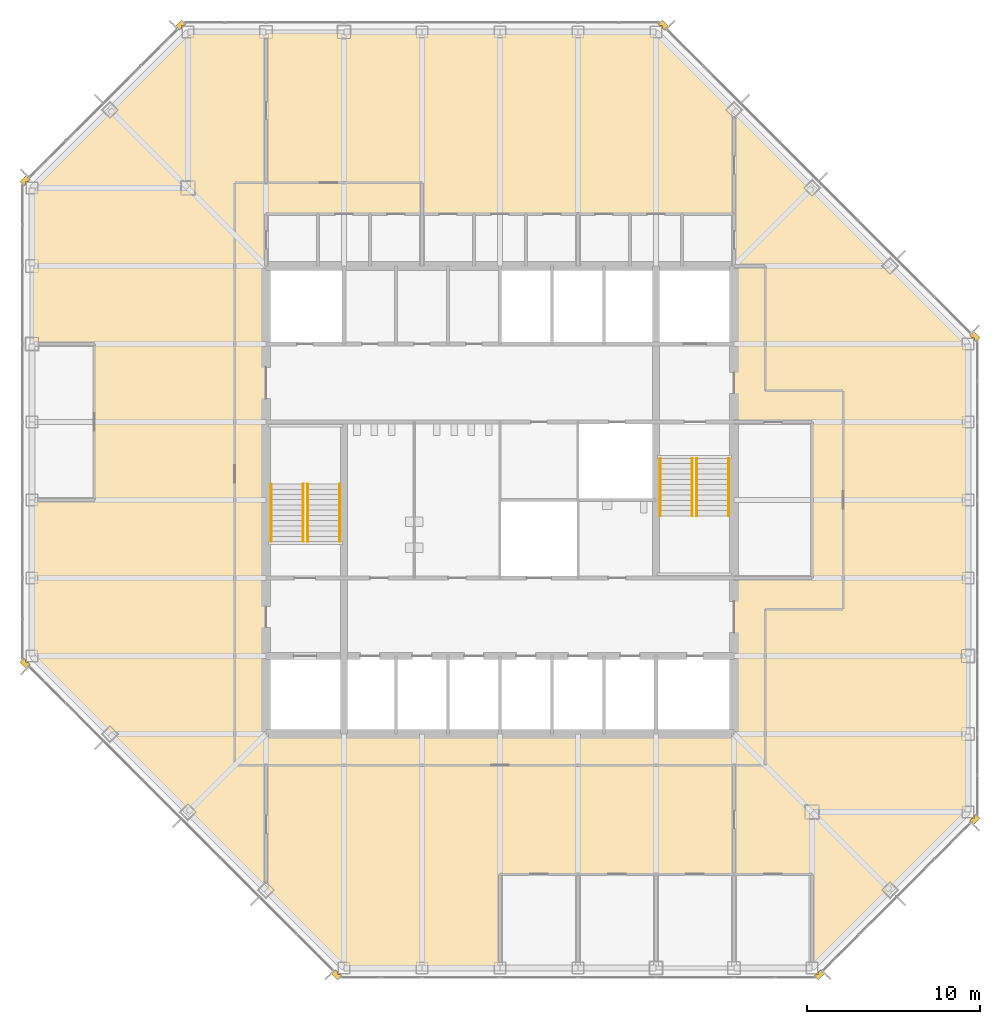
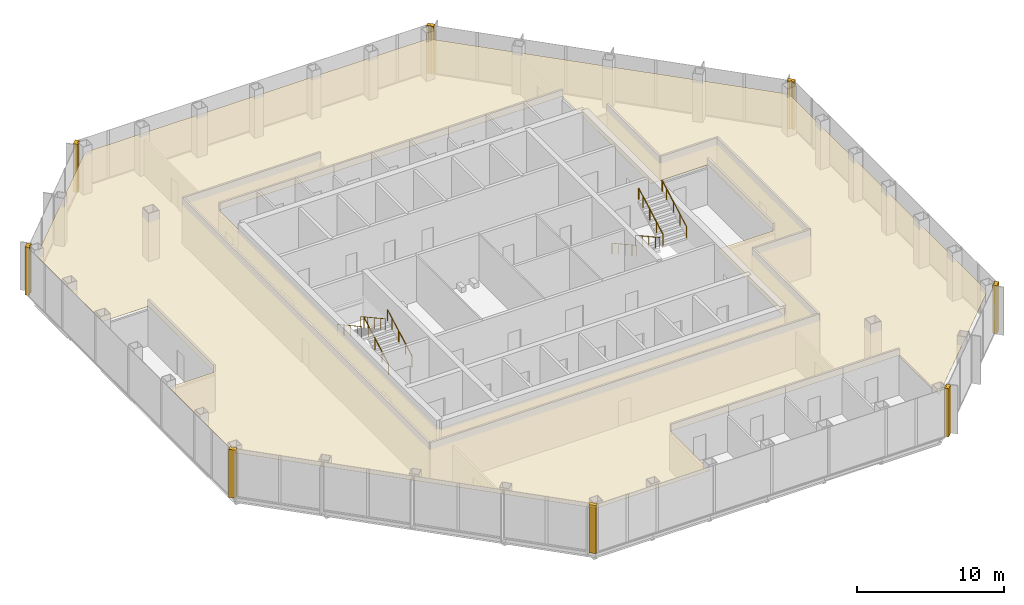
# One storey, part 11 of 12: 9 coverings, 8 railings.
"""IFC4 building model written with IfcOpenShell, lengths in metres."""

import ifcopenshell
import ifcopenshell.guid

model = None  # the IFC model being written
_history = None  # IfcOwnerHistory: only IFC2X3 demands one
_inside = {}  # id of a spatial element -> (the spatial element, [elements in it])
_under = {}  # id of a project, library or spatial element -> (it, [spatial elements below it])
_declared = {}  # id of a project -> (the project, [libraries it declares])
_typed = {}  # id of a type object -> (the type object, [elements of that type])
_made_of = {}  # id of a material, layer set ... -> (it, [elements and type objects made of it])


def new_model(schema):
    """Start an empty IFC model of exactly this schema.

    Asked for "IFC4X3", IfcOpenShell would pick the latest addendum, in which some entities
    have other attributes; the version numbers below select the first issue.
    IFC2X3 requires an IfcOwnerHistory on every rooted entity: one is made here for all.
    """
    global model, _history
    if schema == "IFC4X3":
        model = ifcopenshell.file(schema_version=(4, 3, 0, 0))
    else:
        model = ifcopenshell.file(schema=schema)
    _inside.clear()
    _under.clear()
    _declared.clear()
    _typed.clear()
    _made_of.clear()
    _history = None
    if model.schema == "IFC2X3":
        org = make("IfcOrganization", Name="unknown")
        user = make(
            "IfcPersonAndOrganization",
            ThePerson=make("IfcPerson", FamilyName="unknown"),
            TheOrganization=org,
        )
        app = make(
            "IfcApplication",
            ApplicationDeveloper=org,
            Version="unknown",
            ApplicationFullName="unknown",
            ApplicationIdentifier="unknown",
        )
        _history = make(
            "IfcOwnerHistory",
            OwningUser=user,
            OwningApplication=app,
            ChangeAction="ADDED",
            CreationDate=0,
        )
    return model


def make(cls, **values):
    """One entity of the class cls with the attributes given. An attribute that is None is left unset."""
    return model.create_entity(
        cls, **{name: value for name, value in values.items() if value is not None}
    )


def rooted(cls, **values):
    """An entity with a GlobalId (a new one), such as an element, a storey or a relation."""
    return make(cls, GlobalId=ifcopenshell.guid.new(), OwnerHistory=_history, **values)


def si_unit(unit_type, name, prefix=None):
    """IfcSIUnit, for example si_unit("LENGTHUNIT", "METRE", prefix="MILLI")."""
    return make("IfcSIUnit", UnitType=unit_type, Prefix=prefix, Name=name)


def assignment(units):
    """IfcUnitAssignment: the units of a project."""
    return None if units is None else make("IfcUnitAssignment", Units=units)


def point(xyz):
    """IfcCartesianPoint."""
    return None if xyz is None else make("IfcCartesianPoint", Coordinates=xyz)


def direction(xyz):
    """IfcDirection."""
    return None if xyz is None else make("IfcDirection", DirectionRatios=xyz)


def frame(location, z_axis=None, x_axis=None):
    """IfcAxis2Placement3D, a coordinate frame: its origin and axes. An axis left out is left unset."""
    return make(
        "IfcAxis2Placement3D",
        Location=point(location),
        Axis=direction(z_axis),
        RefDirection=direction(x_axis),
    )


def frame_2d(location, x_axis=None):
    """IfcAxis2Placement2D, a coordinate frame in the plane: its origin and x axis."""
    return make(
        "IfcAxis2Placement2D", Location=point(location), RefDirection=direction(x_axis)
    )


def origin():
    """The frame at (0, 0, 0) with its axes left unset."""
    return frame((0.0, 0.0, 0.0))


def origin_2d():
    """The frame at (0, 0) in the plane with its x axis left unset."""
    return frame_2d((0.0, 0.0))


def place(relative_to, where):
    """IfcLocalPlacement: puts the frame where relative to a parent placement (None: the world)."""
    return make(
        "IfcLocalPlacement", PlacementRelTo=relative_to, RelativePlacement=where
    )


def context(
    kind, dimensions, precision=None, world=None, true_north=None, identifier=None
):
    """IfcGeometricRepresentationContext, for example the 3D "Model" context."""
    return make(
        "IfcGeometricRepresentationContext",
        ContextIdentifier=identifier,
        ContextType=kind,
        CoordinateSpaceDimension=dimensions,
        Precision=precision,
        WorldCoordinateSystem=world,
        TrueNorth=true_north,
    )


def subcontext(parent, identifier, kind, view, scale=None):
    """IfcGeometricRepresentationSubContext, for example "Body" below "Model"."""
    return make(
        "IfcGeometricRepresentationSubContext",
        ContextIdentifier=identifier,
        ContextType=kind,
        ParentContext=parent,
        TargetScale=scale,
        TargetView=view,
    )


def project(units=None, contexts=None):
    """IfcProject with its units and contexts."""
    return rooted(
        "IfcProject",
        Name="project",
        RepresentationContexts=contexts,
        UnitsInContext=assignment(units),
    )


def spatial(cls, under=None, at=None, **own):
    """A site, building, storey or space (cls), placed at a placement, below another one or the project."""
    s = rooted(cls, ObjectPlacement=at, **own)
    if under is not None:
        _under.setdefault(under.id(), (under, []))[1].append(s)
    return s


def polyline(points):
    """IfcPolyline through the points."""
    return make("IfcPolyline", Points=[point(p) for p in points])


def profile(cls, at=None, kind="AREA", **sizes):
    """A parametric profile (cls). Its sizes go by their IFC names, for example OverallWidth=200.0."""
    return make(cls, ProfileType=kind, Position=at, **sizes)


def circle(**sizes):
    """IfcCircleProfileDef."""
    return profile("IfcCircleProfileDef", **sizes)


def outline(outer, holes=None, kind="AREA"):
    """IfcArbitraryClosedProfileDef: a profile drawn as a closed curve; with holes, ...WithVoids."""
    if holes is None:
        return make("IfcArbitraryClosedProfileDef", ProfileType=kind, OuterCurve=outer)
    return make(
        "IfcArbitraryProfileDefWithVoids",
        ProfileType=kind,
        OuterCurve=outer,
        InnerCurves=holes,
    )


def extrude(swept, where, along, depth):
    """IfcExtrudedAreaSolid: the profile swept, set in the frame where, extruded along a direction by depth."""
    return make(
        "IfcExtrudedAreaSolid",
        SweptArea=swept,
        Position=where,
        ExtrudedDirection=direction(along),
        Depth=depth,
    )


def shape(context_of_items, identifier, shape_type, items):
    """IfcShapeRepresentation: the items that make up one representation, for example the "Body"."""
    return make(
        "IfcShapeRepresentation",
        ContextOfItems=context_of_items,
        RepresentationIdentifier=identifier,
        RepresentationType=shape_type,
        Items=items,
    )


def material(Name=None, Category=None):
    """IfcMaterial."""
    return make("IfcMaterial", Name=Name, Category=Category)


def layer(
    of_material, thickness, ventilated=None, Name=None, Category=None, Priority=None
):
    """IfcMaterialLayer: one layer of a wall or slab, of a material (None: an air gap)."""
    return make(
        "IfcMaterialLayer",
        Material=of_material,
        LayerThickness=thickness,
        IsVentilated=ventilated,
        Name=Name,
        Category=Category,
        Priority=Priority,
    )


def layer_set(layers, Name=None):
    """IfcMaterialLayerSet."""
    return make("IfcMaterialLayerSet", MaterialLayers=layers, LayerSetName=Name)


def made_of(thing, what):
    """Note that an element or type object is made of a material, layer set ...; save() writes the relation."""
    if what is not None:
        _made_of.setdefault(what.id(), (what, []))[1].append(thing)
    return thing


def type_object(cls, material=None, **own):
    """A type object (cls), such as IfcWallType, which elements share."""
    return made_of(rooted(cls, **own), material)


def element(
    cls,
    number,
    at=None,
    inside=None,
    cuts=None,
    type_object=None,
    material=None,
    context=None,
    identifier="Body",
    shape_type=None,
    held_by="IfcProductDefinitionShape",
    body=None,
    shapes=None,
    **own,
):
    """One element of the class cls, such as IfcWall. Its Tag is "e" and its number.

    at: its placement. inside: the storey or other place that contains it. cuts: it is an
    opening in that element (IfcRelVoidsElement). A single representation is given by context,
    identifier, shape_type and body (its items); several are given by shapes. held_by: the class
    of the entity that holds the representations. save() writes the other relations.
    """
    e = rooted(cls, Tag="e%d" % number, ObjectPlacement=at, **own)
    if body is not None:
        shapes = [shape(context, identifier, shape_type, body)]
    if shapes is not None:
        e.Representation = make(held_by, Representations=shapes)
    if inside is not None:
        _inside.setdefault(inside.id(), (inside, []))[1].append(e)
    if cuts is not None:
        rooted(
            "IfcRelVoidsElement", RelatingBuildingElement=cuts, RelatedOpeningElement=e
        )
    if type_object is not None:
        _typed.setdefault(type_object.id(), (type_object, []))[1].append(e)
    return made_of(e, material)


def aggregate(whole, parts):
    """IfcRelAggregates: a whole, such as a stair, and the parts it consists of."""
    return rooted("IfcRelAggregates", RelatingObject=whole, RelatedObjects=parts)


def save(model, path):
    """Write the relations noted so far, then the file.

    IfcRelAggregates (storeys below a building ...), IfcRelContainedInSpatialStructure (elements
    in a storey), IfcRelDefinesByType, IfcRelAssociatesMaterial and IfcRelDeclares: one each for
    every whole, place, type object, material and project.
    """
    for whole, parts in _under.values():
        aggregate(whole, parts)
    for where, things in _inside.values():
        rooted(
            "IfcRelContainedInSpatialStructure",
            RelatedElements=things,
            RelatingStructure=where,
        )
    for kind, things in _typed.values():
        rooted("IfcRelDefinesByType", RelatedObjects=things, RelatingType=kind)
    for what, things in _made_of.values():
        rooted("IfcRelAssociatesMaterial", RelatedObjects=things, RelatingMaterial=what)
    for by, libraries in _declared.values():
        rooted("IfcRelDeclares", RelatingContext=by, RelatedDefinitions=libraries)
    model.write(path)


model = new_model("IFC4")

# Units and contexts
model_context = context("Model", 3, precision=1e-05, world=origin(), true_north=direction((0.0, 1.0)))
body_context = subcontext(model_context, "Body", "Model", "MODEL_VIEW")
ifc_project = project(units=[si_unit("LENGTHUNIT", "METRE"), si_unit("AREAUNIT", "SQUARE_METRE"), si_unit("VOLUMEUNIT", "CUBIC_METRE"), si_unit("PLANEANGLEUNIT", "RADIAN"), si_unit("MASSUNIT", "GRAM", prefix="KILO")], contexts=[model_context])

# Site, building, storey
site_placement = place(None, origin())
site = spatial("IfcSite", under=ifc_project, at=site_placement, CompositionType="ELEMENT")
building_placement = place(site_placement, origin())
building = spatial("IfcBuilding", under=site, at=building_placement, Name="Corais Broadcast Tower", CompositionType="ELEMENT")
storey_placement = place(building_placement, frame((0.0, 0.0, 159.60009765625)))
storey = spatial("IfcBuildingStorey", under=building, at=storey_placement, Name="L36", CompositionType="ELEMENT", Elevation=159.60009765625)

# Railings
ifc_material_1 = material(Name="Stainless steel handrail", Category="steel")
railing_type = type_object("IfcRailingType", Name="Handrail 920", PredefinedType="HANDRAIL", material=ifc_material_1)
for number, where, name in (
    (1, (17.75, 24.60009765625, 0.16650390625), "HR1 L36"),
    (2, (15.89990234375, 24.60009765625, 0.16650390625), "HR1 L36"),
):
    element("IfcRailing", number, at=place(storey_placement, frame(where)), inside=storey, type_object=railing_type, Name=name, PredefinedType="HANDRAIL", context=body_context, shape_type="SweptSolid", body=[
        extrude(circle(Radius=0.02392578125, at=origin_2d()), frame((0.0, 0.0, 0.89599609375), z_axis=(0.0, 0.875504475178, 0.483210010185), x_axis=(-1.0, 0.0, 0.0)), (0.0, 0.0, 1.0), 3.79443359375),
        extrude(circle(Radius=0.02099609375, at=origin_2d()), origin(), (0.0, 0.0, 1.0), 0.871826171875),
        extrude(circle(Radius=0.02099609375, at=origin_2d()), frame((0.0, 0.906005859375, 0.5)), (0.0, 0.0, 1.0), 0.871826171875),
        extrude(circle(Radius=0.02099609375, at=origin_2d()), frame((0.0, 1.81201171875, 1.0)), (0.0, 0.0, 1.0), 0.871826171875),
        extrude(circle(Radius=0.02099609375, at=origin_2d()), frame((0.0, 2.718017578125, 1.500244140625)), (0.0, 0.0, 1.0), 0.871826171875),
        extrude(circle(Radius=0.02099609375, at=origin_2d()), frame((0.0, 3.322021484375, 1.83349609375)), (0.0, 0.0, 1.0), 0.871826171875),
    ])
for number, where, name in (
    (3, (13.800048828125, 27.922119140625, 2.16650390625), "HR1 L36"),
    (4, (15.64990234375, 27.922119140625, 2.16650390625), "HR1 L36"),
    (5, (36.25, 29.39990234375, 0.16650390625), "HR1 L36"),
    (6, (38.10009765625, 29.39990234375, 0.16650390625), "HR1 L36"),
):
    element("IfcRailing", number, at=place(storey_placement, frame(where)), inside=storey, type_object=railing_type, Name=name, PredefinedType="HANDRAIL", context=body_context, shape_type="SweptSolid", body=[
        extrude(circle(Radius=0.02392578125, at=origin_2d()), frame((0.0, 0.0, 0.89599609375), z_axis=(0.0, -0.875504475178, 0.483210010185), x_axis=(1.0, 0.0, 0.0)), (0.0, 0.0, 1.0), 3.79443359375),
        extrude(circle(Radius=0.02099609375, at=origin_2d()), origin(), (0.0, 0.0, 1.0), 0.871826171875),
        extrude(circle(Radius=0.02099609375, at=origin_2d()), frame((0.0, -0.906005859375, 0.5)), (0.0, 0.0, 1.0), 0.871826171875),
        extrude(circle(Radius=0.02099609375, at=origin_2d()), frame((0.0, -1.81201171875, 1.0)), (0.0, 0.0, 1.0), 0.871826171875),
        extrude(circle(Radius=0.02099609375, at=origin_2d()), frame((0.0, -2.718017578125, 1.500244140625)), (0.0, 0.0, 1.0), 0.871826171875),
        extrude(circle(Radius=0.02099609375, at=origin_2d()), frame((0.0, -3.322021484375, 1.83349609375)), (0.0, 0.0, 1.0), 0.871826171875),
    ])
for number, where, name in (
    (7, (40.199951171875, 26.077880859375, 2.16650390625), "HR1 L36"),
    (8, (38.35009765625, 26.077880859375, 2.16650390625), "HR1 L36"),
):
    element("IfcRailing", number, at=place(storey_placement, frame(where)), inside=storey, type_object=railing_type, Name=name, PredefinedType="HANDRAIL", context=body_context, shape_type="SweptSolid", body=[
        extrude(circle(Radius=0.02392578125, at=origin_2d()), frame((0.0, 0.0, 0.89599609375), z_axis=(0.0, 0.875504475178, 0.483210010185), x_axis=(-1.0, 0.0, 0.0)), (0.0, 0.0, 1.0), 3.79443359375),
        extrude(circle(Radius=0.02099609375, at=origin_2d()), origin(), (0.0, 0.0, 1.0), 0.871826171875),
        extrude(circle(Radius=0.02099609375, at=origin_2d()), frame((0.0, 0.906005859375, 0.5)), (0.0, 0.0, 1.0), 0.871826171875),
        extrude(circle(Radius=0.02099609375, at=origin_2d()), frame((0.0, 1.81201171875, 1.0)), (0.0, 0.0, 1.0), 0.871826171875),
        extrude(circle(Radius=0.02099609375, at=origin_2d()), frame((0.0, 2.718017578125, 1.500244140625)), (0.0, 0.0, 1.0), 0.871826171875),
        extrude(circle(Radius=0.02099609375, at=origin_2d()), frame((0.0, 3.322021484375, 1.83349609375)), (0.0, 0.0, 1.0), 0.871826171875),
    ])

# Coverings
ifc_material_2 = material(Name="Granite stone cladding", Category="masonry")
ifc_layer_1 = layer(ifc_material_2, 0.324951171875)
ifc_layer_set_1 = layer_set([ifc_layer_1], Name="Granite stone cladding")
covering_type_1 = type_object("IfcCoveringType", Name="Stone corner pier cladding 500x325", PredefinedType="CLADDING", material=ifc_layer_set_1)
covering_1_placement = place(storey_placement, origin())
element("IfcCovering", 9, at=covering_1_placement, inside=storey, type_object=covering_type_1, Name="SP1 stone corner pier L36", PredefinedType="CLADDING", context=body_context, shape_type="SweptSolid", body=[
    extrude(outline(polyline([(17.860595703125, -0.461669921875), (17.77392578125, -0.375), (17.625, -0.375), (17.625, -0.22607421875), (17.507080078125, -0.108154296875), (17.277099609375, -0.337890625), (17.630859375, -0.69140625), (17.860595703125, -0.461669921875)])), origin(), (0.0, 0.0, 1.0), 4.0),
])
covering_2_placement = place(storey_placement, origin())
element("IfcCovering", 10, at=covering_2_placement, inside=storey, type_object=covering_type_1, Name="SP1 stone corner pier L36", PredefinedType="CLADDING", context=body_context, shape_type="SweptSolid", body=[
    extrude(outline(polyline([(-0.375, 17.77392578125), (-0.461669921875, 17.860595703125), (-0.69140625, 17.630859375), (-0.337890625, 17.277099609375), (-0.108154296875, 17.507080078125), (-0.22607421875, 17.625), (-0.375, 17.625), (-0.375, 17.77392578125)])), origin(), (0.0, 0.0, 1.0), 4.0),
])
covering_3_placement = place(storey_placement, origin())
element("IfcCovering", 11, at=covering_3_placement, inside=storey, type_object=covering_type_1, Name="SP1 stone corner pier L36", PredefinedType="CLADDING", context=body_context, shape_type="SweptSolid", body=[
    extrude(outline(polyline([(-0.461669921875, 45.139404296875), (-0.375, 45.22607421875), (-0.375, 45.375), (-0.22607421875, 45.375), (-0.108154296875, 45.492919921875), (-0.337890625, 45.722900390625), (-0.69140625, 45.369140625), (-0.461669921875, 45.139404296875)])), origin(), (0.0, 0.0, 1.0), 4.0),
])
covering_4_placement = place(storey_placement, origin())
element("IfcCovering", 12, at=covering_4_placement, inside=storey, type_object=covering_type_1, Name="SP1 stone corner pier L36", PredefinedType="CLADDING", context=body_context, shape_type="SweptSolid", body=[
    extrude(outline(polyline([(8.77392578125, 54.375), (8.860595703125, 54.461669921875), (8.630859375, 54.69140625), (8.277099609375, 54.337890625), (8.507080078125, 54.108154296875), (8.625, 54.22607421875), (8.625, 54.375), (8.77392578125, 54.375)])), origin(), (0.0, 0.0, 1.0), 4.0),
])
covering_5_placement = place(storey_placement, origin())
element("IfcCovering", 13, at=covering_5_placement, inside=storey, type_object=covering_type_1, Name="SP1 stone corner pier L36", PredefinedType="CLADDING", context=body_context, shape_type="SweptSolid", body=[
    extrude(outline(polyline([(36.139404296875, 54.461669921875), (36.22607421875, 54.375), (36.375, 54.375), (36.375, 54.22607421875), (36.492919921875, 54.108154296875), (36.722900390625, 54.337890625), (36.369140625, 54.69140625), (36.139404296875, 54.461669921875)])), origin(), (0.0, 0.0, 1.0), 4.0),
])
covering_6_placement = place(storey_placement, origin())
element("IfcCovering", 14, at=covering_6_placement, inside=storey, type_object=covering_type_1, Name="SP1 stone corner pier L36", PredefinedType="CLADDING", context=body_context, shape_type="SweptSolid", body=[
    extrude(outline(polyline([(54.375, 36.22607421875), (54.461669921875, 36.139404296875), (54.69140625, 36.369140625), (54.337890625, 36.722900390625), (54.108154296875, 36.492919921875), (54.22607421875, 36.375), (54.375, 36.375), (54.375, 36.22607421875)])), origin(), (0.0, 0.0, 1.0), 4.0),
])
covering_7_placement = place(storey_placement, origin())
element("IfcCovering", 15, at=covering_7_placement, inside=storey, type_object=covering_type_1, Name="SP1 stone corner pier L36", PredefinedType="CLADDING", context=body_context, shape_type="SweptSolid", body=[
    extrude(outline(polyline([(54.461669921875, 8.860595703125), (54.375, 8.77392578125), (54.375, 8.625), (54.22607421875, 8.625), (54.108154296875, 8.507080078125), (54.337890625, 8.277099609375), (54.69140625, 8.630859375), (54.461669921875, 8.860595703125)])), origin(), (0.0, 0.0, 1.0), 4.0),
])
covering_8_placement = place(storey_placement, origin())
element("IfcCovering", 16, at=covering_8_placement, inside=storey, type_object=covering_type_1, Name="SP1 stone corner pier L36", PredefinedType="CLADDING", context=body_context, shape_type="SweptSolid", body=[
    extrude(outline(polyline([(45.22607421875, -0.375), (45.139404296875, -0.461669921875), (45.369140625, -0.69140625), (45.722900390625, -0.337890625), (45.492919921875, -0.108154296875), (45.375, -0.22607421875), (45.375, -0.375), (45.22607421875, -0.375)])), origin(), (0.0, 0.0, 1.0), 4.0),
])
ifc_material_3 = material(Name="Mineral fibre ceiling tile", Category="mineral")
ifc_layer_2 = layer(ifc_material_3, 0.02001953125)
ifc_layer_set_2 = layer_set([ifc_layer_2], Name="Mineral fibre ceiling tile")
covering_type_2 = type_object("IfcCoveringType", Name="Suspended ceiling", PredefinedType="CEILING", material=ifc_layer_set_2)
covering_9_placement = place(storey_placement, frame((0.0, 0.0, 3.219970703125)))
element("IfcCovering", 17, at=covering_9_placement, inside=storey, type_object=covering_type_2, Name="CE1 ceiling L36", PredefinedType="CEILING", context=body_context, shape_type="SweptSolid", body=[
    extrude(outline(polyline([(18.0, 0.0), (13.501708984375, 4.498291015625), (13.499755859375, 4.500244140625), (0.0, 18.0), (0.0, 27.0), (3.60009765625, 27.0), (3.60009765625, 36.0), (0.0, 36.0), (0.0, 45.0), (9.0, 54.0), (36.0, 54.0), (54.0, 36.0), (54.0, 9.0), (45.0, 0.0), (45.0, 5.39990234375), (27.0, 5.39990234375), (27.0, 0.0), (18.0, 0.0)]), holes=[polyline([(40.5, 43.5), (13.5, 43.5), (13.5, 13.5), (40.5, 13.5), (40.5, 22.5), (45.0, 22.5), (45.0, 31.5), (40.5, 31.5), (40.5, 43.5)])]), origin(), (0.0, 0.0, 1.0), 0.02001953125),
])

save(model, "model.ifc")
